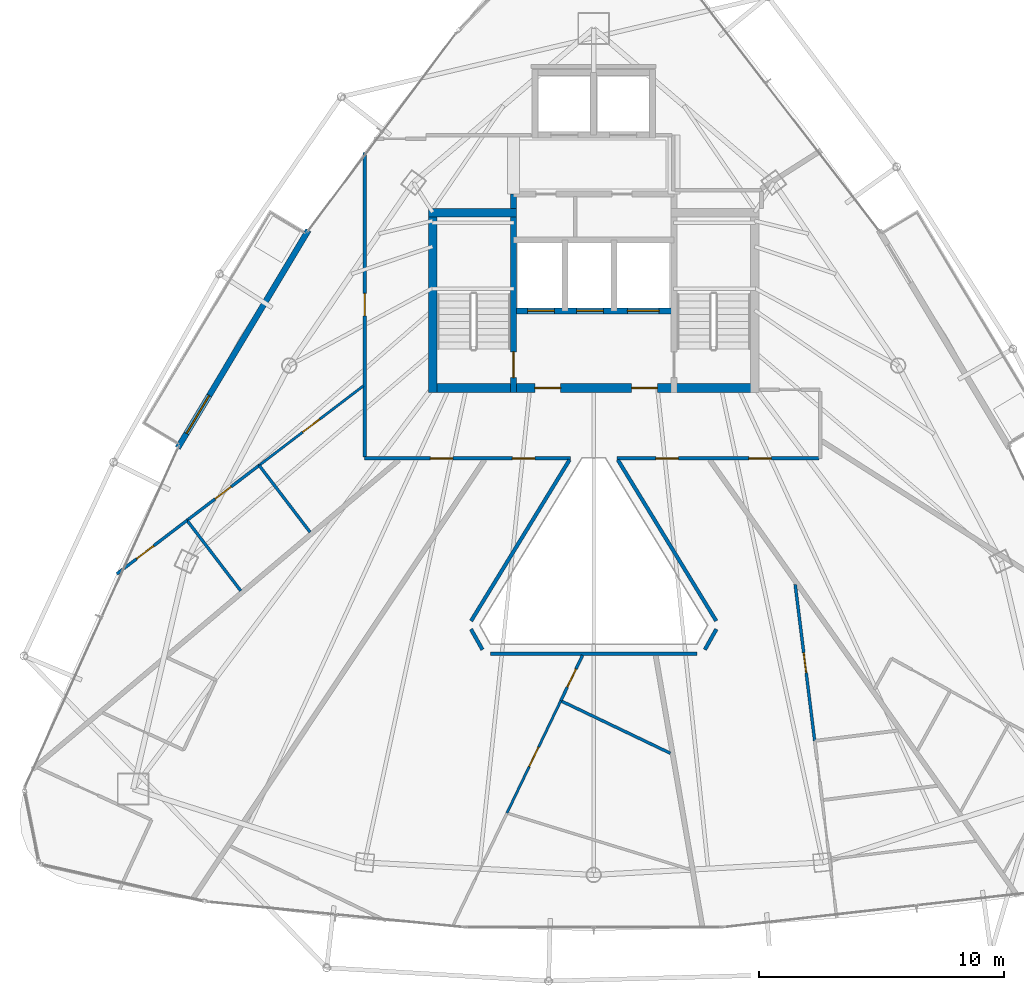
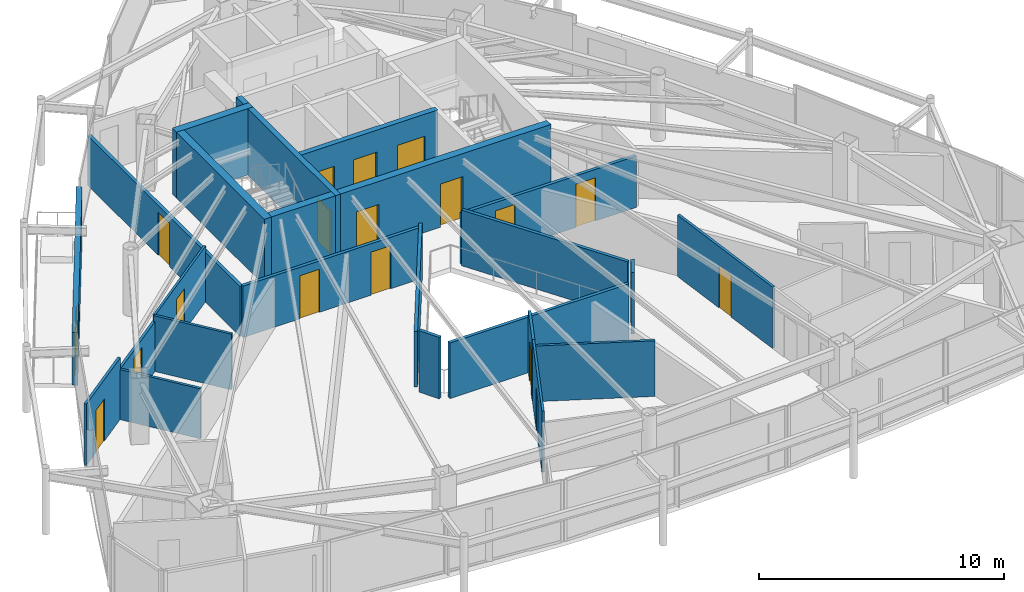
# One storey, part 28 of 33: 23 walls, 18 doors, 18 openings.
"""IFC4 building model written with IfcOpenShell, lengths in metres."""

from ifc_helpers import new_model, si_unit, direction, frame, frame_2d, origin, place, context, subcontext, project, spatial, rectangle, extrude, material, layer, layer_set, type_object, element, fill, save


model = new_model("IFC4")

# Units and contexts
model_context = context("Model", 3, precision=1e-05, world=origin(), true_north=direction((0.0, 1.0)))
body_context = subcontext(model_context, "Body", "Model", "MODEL_VIEW")
ifc_project = project(units=[si_unit("LENGTHUNIT", "METRE"), si_unit("AREAUNIT", "SQUARE_METRE"), si_unit("VOLUMEUNIT", "CUBIC_METRE"), si_unit("PLANEANGLEUNIT", "RADIAN"), si_unit("MASSUNIT", "GRAM", prefix="KILO")], contexts=[model_context])

# Site, building, storey
site_placement = place(None, origin())
site = spatial("IfcSite", under=ifc_project, at=site_placement, CompositionType="ELEMENT")
building_placement = place(site_placement, origin())
building = spatial("IfcBuilding", under=site, at=building_placement, Name="Orvanel Arch Residences", CompositionType="ELEMENT")
storey_placement = place(building_placement, frame((0.0, 0.0, 206.300048828125)))
storey = spatial("IfcBuildingStorey", under=building, at=storey_placement, Name="L58", CompositionType="ELEMENT", Elevation=206.300048828125)

# Wall, opening, door
ifc_material_1 = material(Name="Precast concrete N50 (50 MPa)", Category="concrete")
ifc_layer_1 = layer(ifc_material_1, 0.239990234375)
ifc_layer_set_1 = layer_set([ifc_layer_1], Name="Precast concrete N50 (50 MPa)")
wall_type_1 = type_object("IfcWallType", Name="EW-BAL-240", PredefinedType="SOLIDWALL", material=ifc_layer_set_1)
wall_1_placement = place(storey_placement, frame((21.35302734375, 33.1689453125, 0.0), z_axis=(0.0, 0.0, 1.0), x_axis=(-0.514391899557, -0.857555230682, 0.0)))
wall_1 = element("IfcWall", 1, at=wall_1_placement, inside=storey, type_object=wall_type_1, Name="L58 Balcony Threshold Wall Face 1", PredefinedType="SOLIDWALL", context=body_context, shape_type="SweptSolid", body=[
    extrude(rectangle(XDim=10.371337890625, YDim=0.239990234375, at=frame_2d((5.185546875, 0.0))), origin(), (0.0, 0.0, 1.0), 2.6240234375),
])
opening_1_placement = place(wall_1_placement, frame((7.8740234375, 0.0, 0.0)))
opening_1 = element("IfcOpeningElement", 2, at=opening_1_placement, cuts=wall_1, Name="Opening DB-180", PredefinedType="OPENING", context=body_context, shape_type="SweptSolid", body=[
    extrude(rectangle(XDim=1.800048828125, YDim=2.199951171875, at=frame_2d((0.89990234375, 1.10009765625))), frame((0.0, 0.1298828125, 0.0), z_axis=(0.0, -1.0, 0.0), x_axis=(1.0, 0.0, 0.0)), (0.0, 0.0, 1.0), 0.260009765625),
])
ifc_material_2 = material(Name="Bronze-anodised aluminium AA6063-T6", Category="aluminium")
door_type_1 = type_object("IfcDoorType", Name="DR-BAL-1800", OperationType="NOTDEFINED", PredefinedType="DOOR", material=ifc_material_2)
door_1_placement = place(opening_1_placement, origin())
door_1 = element("IfcDoor", 3, at=door_1_placement, inside=storey, type_object=door_type_1, Name="DR-L58-BAL-F1 L58 Planted Balcony Access Door Face 1", OperationType="SINGLE_SWING_RIGHT", OverallHeight=2.199951171875, OverallWidth=1.800048828125, PredefinedType="DOOR", context=body_context, shape_type="SweptSolid", body=[
    extrude(rectangle(XDim=1.800048828125, YDim=2.199951171875, at=frame_2d((0.89990234375, 1.10009765625))), frame((0.0, 0.02490234375, 0.0), z_axis=(0.0, -1.0, 0.0), x_axis=(1.0, 0.0, 0.0)), (0.0, 0.0, 1.0), 0.050048828125),
])
fill(opening_1, door_1)

ifc_material_3 = material(Name="Concrete N50 (50 MPa)", Category="concrete")
ifc_layer_2 = layer(ifc_material_3, 0.25)
ifc_layer_set_2 = layer_set([ifc_layer_2], Name="Concrete N50 (50 MPa)")
wall_type_2 = type_object("IfcWallType", Name="SW-CORE-250", PredefinedType="SHEAR", material=ifc_layer_set_2)
wall_2_placement = place(storey_placement, frame((29.72509765625, 26.550048828125, 0.0), z_axis=(0.0, 0.0, 1.0), x_axis=(0.0, 1.0, 0.0)))
wall_2 = element("IfcWall", 4, at=wall_2_placement, inside=storey, type_object=wall_type_2, Name="L58 West Inner Core Spine Shear Wall", PredefinedType="SHEAR", context=body_context, shape_type="SweptSolid", body=[
    extrude(rectangle(XDim=8.099853515625, YDim=0.25, at=frame_2d((4.0498046875, 0.0))), origin(), (0.0, 0.0, 1.0), 3.300048828125),
])
opening_2_placement = place(wall_2_placement, frame((0.60009765625, 0.0, 0.0)))
opening_2 = element("IfcOpeningElement", 5, at=opening_2_placement, cuts=wall_2, Name="Opening DF-120", PredefinedType="OPENING", context=body_context, shape_type="SweptSolid", body=[
    extrude(rectangle(XDim=1.050048828125, YDim=2.14990234375, at=frame_2d((0.52490234375, 1.074951171875))), frame((0.0, 0.135009765625, 0.0), z_axis=(0.0, -1.0, 0.0), x_axis=(1.0, 0.0, 0.0)), (0.0, 0.0, 1.0), 0.27001953125),
])
ifc_material_4 = material(Name="Galvanised steel fire-resisting door assembly", Category="steel")
door_type_2 = type_object("IfcDoorType", Name="DR-FD120-1050", OperationType="NOTDEFINED", PredefinedType="DOOR", material=ifc_material_4)
door_2_placement = place(opening_2_placement, origin())
door_2 = element("IfcDoor", 6, at=door_2_placement, inside=storey, type_object=door_type_2, Name="DR-L58-ST1 L58 Stair 1 Fire Door", OperationType="SINGLE_SWING_LEFT", OverallHeight=2.14990234375, OverallWidth=1.050048828125, PredefinedType="DOOR", context=body_context, shape_type="SweptSolid", body=[
    extrude(rectangle(XDim=1.050048828125, YDim=2.14990234375, at=frame_2d((0.52490234375, 1.074951171875))), frame((0.0, 0.02490234375, 0.0), z_axis=(0.0, -1.0, 0.0), x_axis=(1.0, 0.0, 0.0)), (0.0, 0.0, 1.0), 0.050048828125),
])
fill(opening_2, door_2)

# Wall, openings, doors
wall_3_placement = place(storey_placement, frame((36.27490234375, 29.875, 0.0), z_axis=(0.0, 0.0, 1.0), x_axis=(-1.0, 0.0, 0.0)))
wall_3 = element("IfcWall", 7, at=wall_3_placement, inside=storey, type_object=wall_type_2, Name="L58 Emergency Lift Front Core Shear Wall", PredefinedType="SHEAR", context=body_context, shape_type="SweptSolid", body=[
    extrude(rectangle(XDim=6.5498046875, YDim=0.25, at=frame_2d((3.27490234375, 0.0))), origin(), (0.0, 0.0, 1.0), 3.300048828125),
])
opening_3_placement = place(wall_3_placement, frame((4.875, 0.0, 0.0)))
opening_3 = element("IfcOpeningElement", 8, at=opening_3_placement, cuts=wall_3, Name="Opening LD-110", PredefinedType="OPENING", context=body_context, shape_type="SweptSolid", body=[
    extrude(rectangle(XDim=1.10009765625, YDim=2.199951171875, at=frame_2d((0.550048828125, 1.10009765625))), frame((0.0, 0.135009765625, 0.0), z_axis=(0.0, -1.0, 0.0), x_axis=(1.0, 0.0, 0.0)), (0.0, 0.0, 1.0), 0.27001953125),
])
opening_4_placement = place(wall_3_placement, frame((2.875, 0.0, 0.0)))
opening_4 = element("IfcOpeningElement", 9, at=opening_4_placement, cuts=wall_3, Name="Opening LD-110", PredefinedType="OPENING", context=body_context, shape_type="SweptSolid", body=[
    extrude(rectangle(XDim=1.10009765625, YDim=2.199951171875, at=frame_2d((0.550048828125, 1.10009765625))), frame((0.0, 0.135009765625, 0.0), z_axis=(0.0, -1.0, 0.0), x_axis=(1.0, 0.0, 0.0)), (0.0, 0.0, 1.0), 0.27001953125),
])
opening_5_placement = place(wall_3_placement, frame((0.60009765625, 0.0, 0.0)))
opening_5 = element("IfcOpeningElement", 10, at=opening_5_placement, cuts=wall_3, Name="Opening LD-130", PredefinedType="OPENING", context=body_context, shape_type="SweptSolid", body=[
    extrude(rectangle(XDim=1.300048828125, YDim=2.199951171875, at=frame_2d((0.64990234375, 1.10009765625))), frame((0.0, 0.135009765625, 0.0), z_axis=(0.0, -1.0, 0.0), x_axis=(1.0, 0.0, 0.0)), (0.0, 0.0, 1.0), 0.27001953125),
])
door_type_3 = type_object("IfcDoorType", Name="DR-LFT-1100", OperationType="NOTDEFINED", PredefinedType="DOOR", material=ifc_material_4)
door_3_placement = place(opening_3_placement, origin())
door_3 = element("IfcDoor", 11, at=door_3_placement, inside=storey, type_object=door_type_3, Name="LD-F1-L58 L58 Lift F1 Sliding Landing Door", OperationType="DOUBLE_DOOR_SLIDING", OverallHeight=2.199951171875, OverallWidth=1.10009765625, PredefinedType="DOOR", context=body_context, shape_type="SweptSolid", body=[
    extrude(rectangle(XDim=1.10009765625, YDim=2.199951171875, at=frame_2d((0.550048828125, 1.10009765625))), frame((0.0, 0.02490234375, 0.0), z_axis=(0.0, -1.0, 0.0), x_axis=(1.0, 0.0, 0.0)), (0.0, 0.0, 1.0), 0.050048828125),
])
fill(opening_3, door_3)
door_4_placement = place(opening_4_placement, origin())
door_4 = element("IfcDoor", 12, at=door_4_placement, inside=storey, type_object=door_type_3, Name="LD-F2-L58 L58 Lift F2 Sliding Landing Door", OperationType="DOUBLE_DOOR_SLIDING", OverallHeight=2.199951171875, OverallWidth=1.10009765625, PredefinedType="DOOR", context=body_context, shape_type="SweptSolid", body=[
    extrude(rectangle(XDim=1.10009765625, YDim=2.199951171875, at=frame_2d((0.550048828125, 1.10009765625))), frame((0.0, 0.02490234375, 0.0), z_axis=(0.0, -1.0, 0.0), x_axis=(1.0, 0.0, 0.0)), (0.0, 0.0, 1.0), 0.050048828125),
])
fill(opening_4, door_4)
door_type_4 = type_object("IfcDoorType", Name="DR-LFT-1300", OperationType="NOTDEFINED", PredefinedType="DOOR", material=ifc_material_4)
door_5_placement = place(opening_5_placement, origin())
door_5 = element("IfcDoor", 13, at=door_5_placement, inside=storey, type_object=door_type_4, Name="LD-G1-L58 L58 Lift G1 Sliding Landing Door", OperationType="DOUBLE_DOOR_SLIDING", OverallHeight=2.199951171875, OverallWidth=1.300048828125, PredefinedType="DOOR", context=body_context, shape_type="SweptSolid", body=[
    extrude(rectangle(XDim=1.300048828125, YDim=2.199951171875, at=frame_2d((0.64990234375, 1.10009765625))), frame((0.0, 0.02490234375, 0.0), z_axis=(0.0, -1.0, 0.0), x_axis=(1.0, 0.0, 0.0)), (0.0, 0.0, 1.0), 0.050048828125),
])
fill(opening_5, door_5)

ifc_layer_3 = layer(ifc_material_3, 0.35009765625)
ifc_layer_set_3 = layer_set([ifc_layer_3], Name="Concrete N50 (50 MPa)")
wall_type_3 = type_object("IfcWallType", Name="SW-CORE-350", PredefinedType="SHEAR", material=ifc_layer_set_3)
wall_4_placement = place(storey_placement, frame((26.25, 26.72509765625, 0.0), z_axis=(0.0, 0.0, 1.0), x_axis=(1.0, 0.0, 0.0)))
wall_4 = element("IfcWall", 14, at=wall_4_placement, inside=storey, type_object=wall_type_3, Name="L58 South Core Shear Wall", PredefinedType="SHEAR", context=body_context, shape_type="SweptSolid", body=[
    extrude(rectangle(XDim=13.5, YDim=0.35009765625, at=frame_2d((6.75, 0.0))), origin(), (0.0, 0.0, 1.0), 3.300048828125),
])
opening_6_placement = place(wall_4_placement, frame((4.35009765625, 0.0, 0.0)))
opening_6 = element("IfcOpeningElement", 15, at=opening_6_placement, cuts=wall_4, Name="Opening DF-060", PredefinedType="OPENING", context=body_context, shape_type="SweptSolid", body=[
    extrude(rectangle(XDim=1.050048828125, YDim=2.14990234375, at=frame_2d((0.52490234375, 1.074951171875))), frame((0.0, 0.18505859375, 0.0), z_axis=(0.0, -1.0, 0.0), x_axis=(1.0, 0.0, 0.0)), (0.0, 0.0, 1.0), 0.3701171875),
])
opening_7_placement = place(wall_4_placement, frame((8.300048828125, 0.0, 0.0)))
opening_7 = element("IfcOpeningElement", 16, at=opening_7_placement, cuts=wall_4, Name="Opening DF-060", PredefinedType="OPENING", context=body_context, shape_type="SweptSolid", body=[
    extrude(rectangle(XDim=1.050048828125, YDim=2.14990234375, at=frame_2d((0.52490234375, 1.074951171875))), frame((0.0, 0.18505859375, 0.0), z_axis=(0.0, -1.0, 0.0), x_axis=(1.0, 0.0, 0.0)), (0.0, 0.0, 1.0), 0.3701171875),
])
door_type_5 = type_object("IfcDoorType", Name="DR-FD60-1050", OperationType="NOTDEFINED", PredefinedType="DOOR", material=ifc_material_4)
door_6_placement = place(opening_6_placement, origin())
door_6 = element("IfcDoor", 17, at=door_6_placement, inside=storey, type_object=door_type_5, Name="DR-L58-FFL-W L58 West Smoke Lobby Door", OperationType="SINGLE_SWING_LEFT", OverallHeight=2.14990234375, OverallWidth=1.050048828125, PredefinedType="DOOR", context=body_context, shape_type="SweptSolid", body=[
    extrude(rectangle(XDim=1.050048828125, YDim=2.14990234375, at=frame_2d((0.52490234375, 1.074951171875))), frame((0.0, 0.02490234375, 0.0), z_axis=(0.0, -1.0, 0.0), x_axis=(1.0, 0.0, 0.0)), (0.0, 0.0, 1.0), 0.050048828125),
])
fill(opening_6, door_6)
door_7_placement = place(opening_7_placement, origin())
door_7 = element("IfcDoor", 18, at=door_7_placement, inside=storey, type_object=door_type_5, Name="DR-L58-FFL-E L58 East Smoke Lobby Door", OperationType="SINGLE_SWING_RIGHT", OverallHeight=2.14990234375, OverallWidth=1.050048828125, PredefinedType="DOOR", context=body_context, shape_type="SweptSolid", body=[
    extrude(rectangle(XDim=1.050048828125, YDim=2.14990234375, at=frame_2d((0.52490234375, 1.074951171875))), frame((0.0, 0.02490234375, 0.0), z_axis=(0.0, -1.0, 0.0), x_axis=(1.0, 0.0, 0.0)), (0.0, 0.0, 1.0), 0.050048828125),
])
fill(opening_7, door_7)

# Walls
wall_5_placement = place(storey_placement, frame((26.425048828125, 26.550048828125, 0.0), z_axis=(0.0, 0.0, 1.0), x_axis=(0.0, 1.0, 0.0)))
element("IfcWall", 19, at=wall_5_placement, inside=storey, type_object=wall_type_3, Name="L58 West Stair Shear Wall", PredefinedType="SHEAR", context=body_context, shape_type="SweptSolid", body=[
    extrude(rectangle(XDim=7.5, YDim=0.35009765625, at=frame_2d((3.75, 0.0))), origin(), (0.0, 0.0, 1.0), 3.300048828125),
])
wall_6_placement = place(storey_placement, frame((26.25, 33.875, 0.0), z_axis=(0.0, 0.0, 1.0), x_axis=(1.0, 0.0, 0.0)))
element("IfcWall", 20, at=wall_6_placement, inside=storey, type_object=wall_type_3, Name="L58 West Stair North Shear Wall", PredefinedType="SHEAR", context=body_context, shape_type="SweptSolid", body=[
    extrude(rectangle(XDim=3.60009765625, YDim=0.35009765625, at=frame_2d((1.800048828125, 0.0))), origin(), (0.0, 0.0, 1.0), 3.300048828125),
])

# Wall, openings, doors
ifc_material_5 = material(Name="Fire-rated plasterboard lined steel stud partition", Category="steel")
ifc_layer_4 = layer(ifc_material_5, 0.14990234375)
ifc_layer_set_4 = layer_set([ifc_layer_4], Name="Fire-rated plasterboard lined steel stud partition")
wall_type_4 = type_object("IfcWallType", Name="W-COR-150", PredefinedType="PARTITIONING", material=ifc_layer_set_4)
wall_7_placement = place(storey_placement, frame((32.050048828125, 23.85009765625, 0.0), z_axis=(0.0, 0.0, 1.0), x_axis=(-1.0, 0.0, 0.0)))
wall_7 = element("IfcWall", 21, at=wall_7_placement, inside=storey, type_object=wall_type_4, Name="L58 Corridor Fire-Rated Partition", PredefinedType="PARTITIONING", context=body_context, shape_type="SweptSolid", body=[
    extrude(rectangle(XDim=8.400146484375, YDim=0.14990234375, at=frame_2d((4.2001953125, 0.0))), origin(), (0.0, 0.0, 1.0), 2.56494140625),
])
opening_8_placement = place(wall_7_placement, frame((1.446044921875, 0.0, 0.0)))
opening_8 = element("IfcOpeningElement", 22, at=opening_8_placement, cuts=wall_7, Name="Opening DA-092", PredefinedType="OPENING", context=body_context, shape_type="SweptSolid", body=[
    extrude(rectangle(XDim=0.919921875, YDim=2.14990234375, at=frame_2d((0.4599609375, 1.074951171875))), frame((0.0, 0.0849609375, 0.0), z_axis=(0.0, -1.0, 0.0), x_axis=(1.0, 0.0, 0.0)), (0.0, 0.0, 1.0), 0.169921875),
])
opening_9_placement = place(wall_7_placement, frame((4.798095703125, 0.0, 0.0)))
opening_9 = element("IfcOpeningElement", 23, at=opening_9_placement, cuts=wall_7, Name="Opening DA-092", PredefinedType="OPENING", context=body_context, shape_type="SweptSolid", body=[
    extrude(rectangle(XDim=0.919921875, YDim=2.14990234375, at=frame_2d((0.4599609375, 1.074951171875))), frame((0.0, 0.0849609375, 0.0), z_axis=(0.0, -1.0, 0.0), x_axis=(1.0, 0.0, 0.0)), (0.0, 0.0, 1.0), 0.169921875),
])
ifc_material_6 = material(Name="Solid-core European oak veneer fire door leaf", Category="wood")
door_type_6 = type_object("IfcDoorType", Name="DR-APT-920", OperationType="NOTDEFINED", PredefinedType="DOOR", material=ifc_material_6)
door_8_placement = place(opening_8_placement, origin())
door_8 = element("IfcDoor", 24, at=door_8_placement, inside=storey, type_object=door_type_6, Name="DR-L58-A-ENT L58 Flat A Entrance Door", OperationType="SINGLE_SWING_RIGHT", OverallHeight=2.14990234375, OverallWidth=0.919921875, PredefinedType="DOOR", context=body_context, shape_type="SweptSolid", body=[
    extrude(rectangle(XDim=0.919921875, YDim=2.14990234375, at=frame_2d((0.4599609375, 1.074951171875))), frame((0.0, 0.02490234375, 0.0), z_axis=(0.0, -1.0, 0.0), x_axis=(1.0, 0.0, 0.0)), (0.0, 0.0, 1.0), 0.050048828125),
])
fill(opening_8, door_8)
door_9_placement = place(opening_9_placement, origin())
door_9 = element("IfcDoor", 25, at=door_9_placement, inside=storey, type_object=door_type_6, Name="DR-L58-D-ENT L58 Studio D Entrance Door", OperationType="SINGLE_SWING_LEFT", OverallHeight=2.14990234375, OverallWidth=0.919921875, PredefinedType="DOOR", context=body_context, shape_type="SweptSolid", body=[
    extrude(rectangle(XDim=0.919921875, YDim=2.14990234375, at=frame_2d((0.4599609375, 1.074951171875))), frame((0.0, 0.02490234375, 0.0), z_axis=(0.0, -1.0, 0.0), x_axis=(1.0, 0.0, 0.0)), (0.0, 0.0, 1.0), 0.050048828125),
])
fill(opening_9, door_9)

# Wall, opening, door
wall_8_placement = place(storey_placement, frame((23.64990234375, 23.909912109375, 0.0), z_axis=(0.0, 0.0, 1.0), x_axis=(0.0, 1.0, 0.0)))
wall_8 = element("IfcWall", 26, at=wall_8_placement, inside=storey, type_object=wall_type_4, Name="L58 Corridor Fire-Rated Partition", PredefinedType="PARTITIONING", context=body_context, shape_type="SweptSolid", body=[
    extrude(rectangle(XDim=12.439208984375, YDim=0.14990234375, at=frame_2d((6.2197265625, 0.0))), origin(), (0.0, 0.0, 1.0), 2.491943359375),
])
opening_10_placement = place(wall_8_placement, frame((5.759033203125, 0.0, 0.0)))
opening_10 = element("IfcOpeningElement", 27, at=opening_10_placement, cuts=wall_8, Name="Opening DA-092", PredefinedType="OPENING", context=body_context, shape_type="SweptSolid", body=[
    extrude(rectangle(XDim=0.919921875, YDim=2.14990234375, at=frame_2d((0.4599609375, 1.074951171875))), frame((0.0, 0.0849609375, 0.0), z_axis=(0.0, -1.0, 0.0), x_axis=(1.0, 0.0, 0.0)), (0.0, 0.0, 1.0), 0.169921875),
])
door_10_placement = place(opening_10_placement, origin())
door_10 = element("IfcDoor", 28, at=door_10_placement, inside=storey, type_object=door_type_6, Name="DR-L58-E-ENT L58 Studio E Entrance Door", OperationType="SINGLE_SWING_RIGHT", OverallHeight=2.14990234375, OverallWidth=0.919921875, PredefinedType="DOOR", context=body_context, shape_type="SweptSolid", body=[
    extrude(rectangle(XDim=0.919921875, YDim=2.14990234375, at=frame_2d((0.4599609375, 1.074951171875))), frame((0.0, 0.02490234375, 0.0), z_axis=(0.0, -1.0, 0.0), x_axis=(1.0, 0.0, 0.0)), (0.0, 0.0, 1.0), 0.050048828125),
])
fill(opening_10, door_10)

# Wall, openings, doors
wall_9_placement = place(storey_placement, frame((42.18994140625, 23.85009765625, 0.0), z_axis=(0.0, 0.0, 1.0), x_axis=(-1.0, 0.0, 0.0)))
wall_9 = element("IfcWall", 29, at=wall_9_placement, inside=storey, type_object=wall_type_4, Name="L58 Corridor Fire-Rated Partition", PredefinedType="PARTITIONING", context=body_context, shape_type="SweptSolid", body=[
    extrude(rectangle(XDim=8.239990234375, YDim=0.14990234375, at=frame_2d((4.1201171875, 0.0))), origin(), (0.0, 0.0, 1.0), 2.56494140625),
])
opening_11_placement = place(wall_9_placement, frame((1.93701171875, 0.0, 0.0)))
opening_11 = element("IfcOpeningElement", 30, at=opening_11_placement, cuts=wall_9, Name="Opening DA-092", PredefinedType="OPENING", context=body_context, shape_type="SweptSolid", body=[
    extrude(rectangle(XDim=0.919921875, YDim=2.14990234375, at=frame_2d((0.4599609375, 1.074951171875))), frame((0.0, 0.0849609375, 0.0), z_axis=(0.0, -1.0, 0.0), x_axis=(1.0, 0.0, 0.0)), (0.0, 0.0, 1.0), 0.169921875),
])
opening_12_placement = place(wall_9_placement, frame((5.73291015625, 0.0, 0.0)))
opening_12 = element("IfcOpeningElement", 31, at=opening_12_placement, cuts=wall_9, Name="Opening DA-092", PredefinedType="OPENING", context=body_context, shape_type="SweptSolid", body=[
    extrude(rectangle(XDim=0.919921875, YDim=2.14990234375, at=frame_2d((0.4599609375, 1.074951171875))), frame((0.0, 0.0849609375, 0.0), z_axis=(0.0, -1.0, 0.0), x_axis=(1.0, 0.0, 0.0)), (0.0, 0.0, 1.0), 0.169921875),
])
door_11_placement = place(opening_11_placement, origin())
door_11 = element("IfcDoor", 32, at=door_11_placement, inside=storey, type_object=door_type_6, Name="DR-L58-B-ENT L58 Studio B Entrance Door", OperationType="SINGLE_SWING_LEFT", OverallHeight=2.14990234375, OverallWidth=0.919921875, PredefinedType="DOOR", context=body_context, shape_type="SweptSolid", body=[
    extrude(rectangle(XDim=0.919921875, YDim=2.14990234375, at=frame_2d((0.4599609375, 1.074951171875))), frame((0.0, 0.02490234375, 0.0), z_axis=(0.0, -1.0, 0.0), x_axis=(1.0, 0.0, 0.0)), (0.0, 0.0, 1.0), 0.050048828125),
])
fill(opening_11, door_11)
door_12_placement = place(opening_12_placement, origin())
door_12 = element("IfcDoor", 33, at=door_12_placement, inside=storey, type_object=door_type_6, Name="DR-L58-C-ENT L58 Flat C Entrance Door", OperationType="SINGLE_SWING_RIGHT", OverallHeight=2.14990234375, OverallWidth=0.919921875, PredefinedType="DOOR", context=body_context, shape_type="SweptSolid", body=[
    extrude(rectangle(XDim=0.919921875, YDim=2.14990234375, at=frame_2d((0.4599609375, 1.074951171875))), frame((0.0, 0.02490234375, 0.0), z_axis=(0.0, -1.0, 0.0), x_axis=(1.0, 0.0, 0.0)), (0.0, 0.0, 1.0), 0.050048828125),
])
fill(opening_12, door_12)

# Walls
wall_10_placement = place(storey_placement, frame((33.987060546875, 23.7900390625, 0.0), z_axis=(0.0, 0.0, 1.0), x_axis=(0.521338496894, -0.853349970209, 0.0)))
element("IfcWall", 34, at=wall_10_placement, inside=storey, type_object=wall_type_4, Name="L58 Atrium Overlook Glazed Partition", PredefinedType="PARTITIONING", context=body_context, shape_type="SweptSolid", body=[
    extrude(rectangle(XDim=7.704833984375, YDim=0.14990234375, at=frame_2d((3.8525390625, 0.0))), origin(), (0.0, 0.0, 1.0), 2.77294921875),
])
wall_11_placement = place(storey_placement, frame((38.010009765625, 16.87890625, 0.0), z_axis=(0.0, 0.0, 1.0), x_axis=(-0.488859069364, -0.872362774481, 0.0)))
element("IfcWall", 35, at=wall_11_placement, inside=storey, type_object=wall_type_4, Name="L58 Atrium Overlook Glazed Partition", PredefinedType="PARTITIONING", context=body_context, shape_type="SweptSolid", body=[
    extrude(rectangle(XDim=0.95947265625, YDim=0.14990234375, at=frame_2d((0.479736328125, 0.0))), origin(), (0.0, 0.0, 1.0), 3.06005859375),
])
wall_12_placement = place(storey_placement, frame((37.212890625, 15.8701171875, 0.0), z_axis=(0.0, 0.0, 1.0), x_axis=(-1.0, 0.0, 0.0)))
element("IfcWall", 36, at=wall_12_placement, inside=storey, type_object=wall_type_4, Name="L58 Atrium Overlook Glazed Partition", PredefinedType="PARTITIONING", context=body_context, shape_type="SweptSolid", body=[
    extrude(rectangle(XDim=8.42578125, YDim=0.14990234375, at=frame_2d((4.212890625, 0.0))), origin(), (0.0, 0.0, 1.0), 2.77294921875),
])
wall_13_placement = place(storey_placement, frame((28.458984375, 16.0419921875, 0.0), z_axis=(0.0, 0.0, 1.0), x_axis=(-0.488859069364, 0.872362774481, 0.0)))
element("IfcWall", 37, at=wall_13_placement, inside=storey, type_object=wall_type_4, Name="L58 Atrium Overlook Glazed Partition", PredefinedType="PARTITIONING", context=body_context, shape_type="SweptSolid", body=[
    extrude(rectangle(XDim=0.95947265625, YDim=0.14990234375, at=frame_2d((0.479736328125, 0.0))), origin(), (0.0, 0.0, 1.0), 3.06005859375),
])
wall_14_placement = place(storey_placement, frame((27.99609375, 17.215087890625, 0.0), z_axis=(0.0, 0.0, 1.0), x_axis=(0.521338496894, 0.853349970209, 0.0)))
element("IfcWall", 38, at=wall_14_placement, inside=storey, type_object=wall_type_4, Name="L58 Atrium Overlook Glazed Partition", PredefinedType="PARTITIONING", context=body_context, shape_type="SweptSolid", body=[
    extrude(rectangle(XDim=7.704833984375, YDim=0.14990234375, at=frame_2d((3.8525390625, 0.0))), origin(), (0.0, 0.0, 1.0), 2.77294921875),
])

# Wall, opening, door
ifc_material_7 = material(Name="Acoustic plasterboard lined twin-stud partition", Category="gypsum")
ifc_layer_5 = layer(ifc_material_7, 0.10009765625)
ifc_layer_set_5 = layer_set([ifc_layer_5], Name="Acoustic plasterboard lined twin-stud partition")
wall_type_5 = type_object("IfcWallType", Name="W-INT-100", PredefinedType="PARTITIONING", material=ifc_layer_set_5)
wall_15_placement = place(storey_placement, frame((31.656982421875, 13.955078125, 0.0), z_axis=(0.0, 0.0, 1.0), x_axis=(-0.4322861352, -0.901736489954, 0.0)))
wall_15 = element("IfcWall", 39, at=wall_15_placement, inside=storey, type_object=wall_type_5, Name="L58 Flat A Internal Partition", PredefinedType="PARTITIONING", context=body_context, shape_type="SweptSolid", body=[
    extrude(rectangle(XDim=5.08447265625, YDim=0.10009765625, at=frame_2d((2.542236328125, 0.0))), origin(), (0.0, 0.0, 1.0), 3.06005859375),
])
opening_13_placement = place(wall_15_placement, frame((2.10205078125, 0.0, 0.0)))
opening_13 = element("IfcOpeningElement", 40, at=opening_13_placement, cuts=wall_15, Name="Opening DI-088", PredefinedType="OPENING", context=body_context, shape_type="SweptSolid", body=[
    extrude(rectangle(XDim=0.8798828125, YDim=2.10009765625, at=frame_2d((0.43994140625, 1.050048828125))), frame((0.0, 0.06005859375, 0.0), z_axis=(0.0, -1.0, 0.0), x_axis=(1.0, 0.0, 0.0)), (0.0, 0.0, 1.0), 0.1201171875),
])
door_type_7 = type_object("IfcDoorType", Name="DR-INT-880", OperationType="NOTDEFINED", PredefinedType="DOOR", material=ifc_material_6)
door_13_placement = place(opening_13_placement, origin())
door_13 = element("IfcDoor", 41, at=door_13_placement, inside=storey, type_object=door_type_7, Name="DR-L58-A-WRD2 L58 Flat A Walk-In Wardrobe 1 Door", OperationType="SINGLE_SWING_LEFT", OverallHeight=2.10009765625, OverallWidth=0.8798828125, PredefinedType="DOOR", context=body_context, shape_type="SweptSolid", body=[
    extrude(rectangle(XDim=0.8798828125, YDim=2.10009765625, at=frame_2d((0.43994140625, 1.050048828125))), frame((0.0, 0.02490234375, 0.0), z_axis=(0.0, -1.0, 0.0), x_axis=(1.0, 0.0, 0.0)), (0.0, 0.0, 1.0), 0.050048828125),
])
fill(opening_13, door_13)

wall_16_placement = place(storey_placement, frame((23.590087890625, 26.804931640625, 0.0), z_axis=(0.0, 0.0, 1.0), x_axis=(-0.795214502583, -0.606328207228, 0.0)))
wall_16 = element("IfcWall", 42, at=wall_16_placement, inside=storey, type_object=wall_type_5, Name="L58 Studio E Internal Partition", PredefinedType="PARTITIONING", context=body_context, shape_type="SweptSolid", body=[
    extrude(rectangle(XDim=5.342041015625, YDim=0.10009765625, at=frame_2d((2.6708984375, 0.0))), origin(), (0.0, 0.0, 1.0), 2.77294921875),
])
opening_14_placement = place(wall_16_placement, frame((2.23095703125, 0.0, 0.0)))
opening_14 = element("IfcOpeningElement", 43, at=opening_14_placement, cuts=wall_16, Name="Opening DI-088", PredefinedType="OPENING", context=body_context, shape_type="SweptSolid", body=[
    extrude(rectangle(XDim=0.8798828125, YDim=2.10009765625, at=frame_2d((0.43994140625, 1.050048828125))), frame((0.0, 0.06005859375, 0.0), z_axis=(0.0, -1.0, 0.0), x_axis=(1.0, 0.0, 0.0)), (0.0, 0.0, 1.0), 0.1201171875),
])
door_14_placement = place(opening_14_placement, origin())
door_14 = element("IfcDoor", 44, at=door_14_placement, inside=storey, type_object=door_type_7, Name="DR-L58-E-DIN1 L58 Studio E Dining Room 1 Door", OperationType="SINGLE_SWING_LEFT", OverallHeight=2.10009765625, OverallWidth=0.8798828125, PredefinedType="DOOR", context=body_context, shape_type="SweptSolid", body=[
    extrude(rectangle(XDim=0.8798828125, YDim=2.10009765625, at=frame_2d((0.43994140625, 1.050048828125))), frame((0.0, 0.02490234375, 0.0), z_axis=(0.0, -1.0, 0.0), x_axis=(1.0, 0.0, 0.0)), (0.0, 0.0, 1.0), 0.050048828125),
])
fill(opening_14, door_14)

ifc_layer_6 = layer(ifc_material_7, 0.1201171875)
ifc_layer_set_6 = layer_set([ifc_layer_6], Name="Acoustic plasterboard lined twin-stud partition")
wall_type_6 = type_object("IfcWallType", Name="W-WET-120", PredefinedType="PARTITIONING", material=ifc_layer_set_6)
wall_17_placement = place(storey_placement, frame((32.5458984375, 15.81005859375, 0.0), z_axis=(0.0, 0.0, 1.0), x_axis=(-0.43214833388, -0.90180253799, 0.0)))
wall_17 = element("IfcWall", 45, at=wall_17_placement, inside=storey, type_object=wall_type_6, Name="L58 Flat A Bathroom Partition", PredefinedType="PARTITIONING", context=body_context, shape_type="SweptSolid", body=[
    extrude(rectangle(XDim=2.056884765625, YDim=0.1201171875, at=frame_2d((1.0283203125, 0.0))), origin(), (0.0, 0.0, 1.0), 3.06005859375),
])
opening_15_placement = place(wall_17_placement, frame((0.618896484375, 0.0, 0.0)))
opening_15 = element("IfcOpeningElement", 46, at=opening_15_placement, cuts=wall_17, Name="Opening DW-082", PredefinedType="OPENING", context=body_context, shape_type="SweptSolid", body=[
    extrude(rectangle(XDim=0.820068359375, YDim=2.10009765625, at=frame_2d((0.41015625, 1.050048828125))), frame((0.0, 0.070068359375, 0.0), z_axis=(0.0, -1.0, 0.0), x_axis=(1.0, 0.0, 0.0)), (0.0, 0.0, 1.0), 0.14013671875),
])
door_type_8 = type_object("IfcDoorType", Name="DR-WET-820", OperationType="NOTDEFINED", PredefinedType="DOOR", material=ifc_material_6)
door_15_placement = place(opening_15_placement, origin())
door_15 = element("IfcDoor", 47, at=door_15_placement, inside=storey, type_object=door_type_8, Name="DR-L58-A-BATH L58 Flat A Bathroom Door", OperationType="SINGLE_SWING_RIGHT", OverallHeight=2.10009765625, OverallWidth=0.820068359375, PredefinedType="DOOR", context=body_context, shape_type="SweptSolid", body=[
    extrude(rectangle(XDim=0.820068359375, YDim=2.10009765625, at=frame_2d((0.41015625, 1.050048828125))), frame((0.0, 0.02490234375, 0.0), z_axis=(0.0, -1.0, 0.0), x_axis=(1.0, 0.0, 0.0)), (0.0, 0.0, 1.0), 0.050048828125),
])
fill(opening_15, door_15)

# Wall
wall_18_placement = place(storey_placement, frame((36.133056640625, 11.81005859375, 0.0), z_axis=(0.0, 0.0, 1.0), x_axis=(-0.901797658679, 0.432158515826, 0.0)))
element("IfcWall", 48, at=wall_18_placement, inside=storey, type_object=wall_type_6, Name="L58 Flat A Bathroom Partition", PredefinedType="PARTITIONING", context=body_context, shape_type="SweptSolid", body=[
    extrude(rectangle(XDim=4.963623046875, YDim=0.1201171875, at=frame_2d((2.48193359375, 0.0))), origin(), (0.0, 0.0, 1.0), 2.77294921875),
])

# Wall, opening, door
wall_19_placement = place(storey_placement, frame((41.22802734375, 18.699951171875, 0.0), z_axis=(0.0, 0.0, 1.0), x_axis=(0.123731094195, -0.992315784581, 0.0)))
wall_19 = element("IfcWall", 49, at=wall_19_placement, inside=storey, type_object=wall_type_6, Name="L58 Flat C Bathroom Partition", PredefinedType="PARTITIONING", context=body_context, shape_type="SweptSolid", body=[
    extrude(rectangle(XDim=6.432373046875, YDim=0.1201171875, at=frame_2d((3.21630859375, 0.0))), origin(), (0.0, 0.0, 1.0), 3.06005859375),
])
opening_16_placement = place(wall_19_placement, frame((2.805908203125, 0.0, 0.0)))
opening_16 = element("IfcOpeningElement", 50, at=opening_16_placement, cuts=wall_19, Name="Opening DW-082", PredefinedType="OPENING", context=body_context, shape_type="SweptSolid", body=[
    extrude(rectangle(XDim=0.820068359375, YDim=2.10009765625, at=frame_2d((0.41015625, 1.050048828125))), frame((0.0, 0.070068359375, 0.0), z_axis=(0.0, -1.0, 0.0), x_axis=(1.0, 0.0, 0.0)), (0.0, 0.0, 1.0), 0.14013671875),
])
door_16_placement = place(opening_16_placement, origin())
door_16 = element("IfcDoor", 51, at=door_16_placement, inside=storey, type_object=door_type_8, Name="DR-L58-C-BATH L58 Flat C Bathroom Door", OperationType="SINGLE_SWING_RIGHT", OverallHeight=2.10009765625, OverallWidth=0.820068359375, PredefinedType="DOOR", context=body_context, shape_type="SweptSolid", body=[
    extrude(rectangle(XDim=0.820068359375, YDim=2.10009765625, at=frame_2d((0.41015625, 1.050048828125))), frame((0.0, 0.02490234375, 0.0), z_axis=(0.0, -1.0, 0.0), x_axis=(1.0, 0.0, 0.0)), (0.0, 0.0, 1.0), 0.050048828125),
])
fill(opening_16, door_16)

wall_20_placement = place(storey_placement, frame((19.342041015625, 23.56591796875, 0.0), z_axis=(0.0, 0.0, 1.0), x_axis=(-0.795172892053, -0.606382776589, 0.0)))
wall_20 = element("IfcWall", 52, at=wall_20_placement, inside=storey, type_object=wall_type_6, Name="L58 Studio E Bathroom Partition", PredefinedType="PARTITIONING", context=body_context, shape_type="SweptSolid", body=[
    extrude(rectangle(XDim=3.70361328125, YDim=0.1201171875, at=frame_2d((1.851806640625, 0.0))), origin(), (0.0, 0.0, 1.0), 2.491943359375),
])
opening_17_placement = place(wall_20_placement, frame((1.44189453125, 0.0, 0.0)))
opening_17 = element("IfcOpeningElement", 53, at=opening_17_placement, cuts=wall_20, Name="Opening DW-082", PredefinedType="OPENING", context=body_context, shape_type="SweptSolid", body=[
    extrude(rectangle(XDim=0.820068359375, YDim=2.10009765625, at=frame_2d((0.41015625, 1.050048828125))), frame((0.0, 0.070068359375, 0.0), z_axis=(0.0, -1.0, 0.0), x_axis=(1.0, 0.0, 0.0)), (0.0, 0.0, 1.0), 0.14013671875),
])
door_17_placement = place(opening_17_placement, origin())
door_17 = element("IfcDoor", 54, at=door_17_placement, inside=storey, type_object=door_type_8, Name="DR-L58-E-BATH L58 Studio E Bathroom Door", OperationType="SINGLE_SWING_RIGHT", OverallHeight=2.10009765625, OverallWidth=0.820068359375, PredefinedType="DOOR", context=body_context, shape_type="SweptSolid", body=[
    extrude(rectangle(XDim=0.820068359375, YDim=2.10009765625, at=frame_2d((0.41015625, 1.050048828125))), frame((0.0, 0.02490234375, 0.0), z_axis=(0.0, -1.0, 0.0), x_axis=(1.0, 0.0, 0.0)), (0.0, 0.0, 1.0), 0.050048828125),
])
fill(opening_17, door_17)

wall_21_placement = place(storey_placement, frame((16.39697265625, 21.320068359375, 0.0), z_axis=(0.0, 0.0, 1.0), x_axis=(-0.795204709159, -0.606341051333, 0.0)))
wall_21 = element("IfcWall", 55, at=wall_21_placement, inside=storey, type_object=wall_type_6, Name="L58 Studio E Internal Partition", PredefinedType="PARTITIONING", context=body_context, shape_type="SweptSolid", body=[
    extrude(rectangle(XDim=3.605224609375, YDim=0.1201171875, at=frame_2d((1.802734375, 0.0))), origin(), (0.0, 0.0, 1.0), 3.06005859375),
])
opening_18_placement = place(wall_21_placement, frame((1.7099609375, 0.0, 0.0)))
opening_18 = element("IfcOpeningElement", 56, at=opening_18_placement, cuts=wall_21, Name="Opening DI-088", PredefinedType="OPENING", context=body_context, shape_type="SweptSolid", body=[
    extrude(rectangle(XDim=0.8798828125, YDim=2.10009765625, at=frame_2d((0.43994140625, 1.050048828125))), frame((0.0, 0.070068359375, 0.0), z_axis=(0.0, -1.0, 0.0), x_axis=(1.0, 0.0, 0.0)), (0.0, 0.0, 1.0), 0.14013671875),
])
door_18_placement = place(opening_18_placement, origin())
door_18 = element("IfcDoor", 57, at=door_18_placement, inside=storey, type_object=door_type_7, Name="DR-L58-E-KIT L58 Studio E Kitchenette Door", OperationType="SINGLE_SWING_LEFT", OverallHeight=2.10009765625, OverallWidth=0.8798828125, PredefinedType="DOOR", context=body_context, shape_type="SweptSolid", body=[
    extrude(rectangle(XDim=0.8798828125, YDim=2.10009765625, at=frame_2d((0.43994140625, 1.050048828125))), frame((0.0, 0.02490234375, 0.0), z_axis=(0.0, -1.0, 0.0), x_axis=(1.0, 0.0, 0.0)), (0.0, 0.0, 1.0), 0.050048828125),
])
fill(opening_18, door_18)

# Walls
wall_22_placement = place(storey_placement, frame((18.590087890625, 18.445068359375, 0.0), z_axis=(0.0, 0.0, 1.0), x_axis=(-0.606504882674, 0.795079761591, 0.0)))
element("IfcWall", 58, at=wall_22_placement, inside=storey, type_object=wall_type_6, Name="L58 Studio E Bathroom Partition", PredefinedType="PARTITIONING", context=body_context, shape_type="SweptSolid", body=[
    extrude(rectangle(XDim=3.615966796875, YDim=0.1201171875, at=frame_2d((1.80810546875, 0.0))), origin(), (0.0, 0.0, 1.0), 2.491943359375),
])
wall_23_placement = place(storey_placement, frame((19.342041015625, 23.56591796875, 0.0), z_axis=(0.0, 0.0, 1.0), x_axis=(0.60619754922, -0.795314108589, 0.0)))
element("IfcWall", 59, at=wall_23_placement, inside=storey, type_object=wall_type_6, Name="L58 Studio E Bathroom Partition", PredefinedType="PARTITIONING", context=body_context, shape_type="SweptSolid", body=[
    extrude(rectangle(XDim=3.431396484375, YDim=0.1201171875, at=frame_2d((1.7158203125, 0.0))), origin(), (0.0, 0.0, 1.0), 2.77294921875),
])

save(model, "model.ifc")
